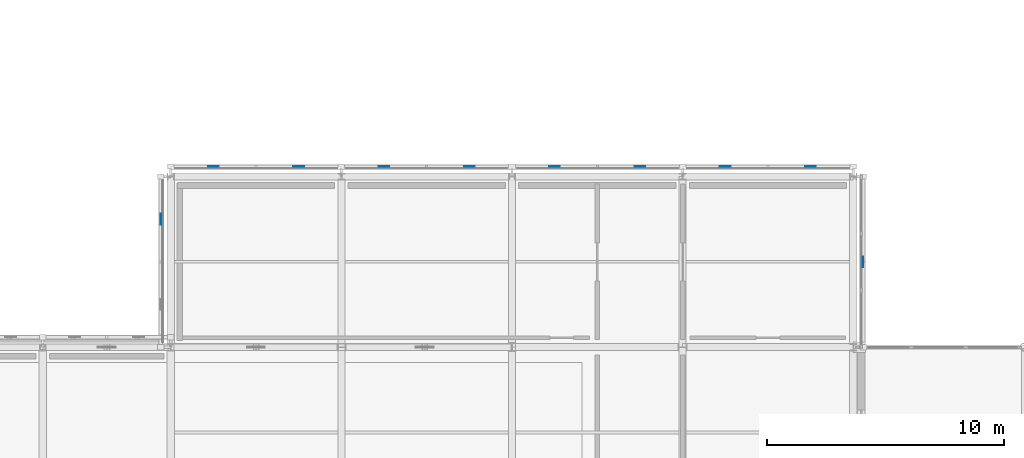
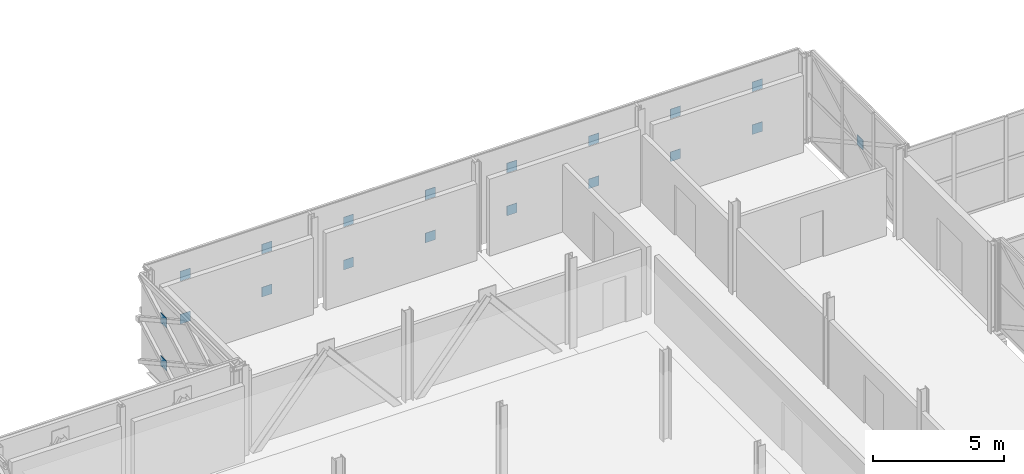
# One storey, part 80 of 103: 19 plates.
"""IFC4 building model written with IfcOpenShell, lengths in metres."""

from ifc_helpers import new_model, si_unit, direction, frame, origin, origin_2d, place, context, subcontext, project, spatial, rectangle, extrude, material, layer, layer_set, type_object, element, save


model = new_model("IFC4")

# Units and contexts
model_context = context("Model", 3, precision=1e-05, world=origin(), true_north=direction((0.0, 1.0)))
body_context = subcontext(model_context, "Body", "Model", "MODEL_VIEW")
ifc_project = project(units=[si_unit("LENGTHUNIT", "METRE"), si_unit("AREAUNIT", "SQUARE_METRE"), si_unit("VOLUMEUNIT", "CUBIC_METRE"), si_unit("PLANEANGLEUNIT", "RADIAN"), si_unit("MASSUNIT", "GRAM", prefix="KILO")], contexts=[model_context])

# Site, building, storey
site_placement = place(None, origin())
site = spatial("IfcSite", under=ifc_project, at=site_placement, CompositionType="ELEMENT")
building_placement = place(site_placement, origin())
building = spatial("IfcBuilding", under=site, at=building_placement, Name="Zlatovets Crest Museum", CompositionType="ELEMENT")
storey_placement = place(building_placement, frame((0.0, 0.0, 12.89990234375)))
storey = spatial("IfcBuildingStorey", under=building, at=storey_placement, Name="L03", CompositionType="ELEMENT", Elevation=12.89990234375)

# Plates
ifc_material = material(Name="Structural steel S355J2", Category="steel")
ifc_layer = layer(ifc_material, 0.02001953125)
ifc_layer_set = layer_set([ifc_layer], Name="Structural steel S355J2")
plate_type = type_object("IfcPlateType", Name="Gusset_GP-04", PredefinedType="USERDEFINED", material=ifc_layer_set)
plate_placement = place(storey_placement, frame((36.419921875, 97.199951171875, 1.875), z_axis=(0.0, 0.0, 1.0), x_axis=(1.0, 0.0, 0.0)))
element("IfcPlate", 1, at=plate_placement, inside=storey, type_object=plate_type, Name="X-Brace Crossing Node Gusset Plate GP-04", ObjectType="GUSSET", PredefinedType="USERDEFINED", context=body_context, shape_type="SweptSolid", body=[
    extrude(rectangle(XDim=0.02001953125, YDim=0.449951171875, at=origin_2d()), origin(), (0.0, 0.0, 1.0), 0.449951171875),
])
for number, where, z_axis, x_axis, name in (
    (2, (12.60009765625, 101.219970703125, 0.875), (0.0, 0.0, 1.0), (1.0, 0.0, 0.0), "X-Brace Crossing Node Gusset Plate GP-04"),
    (3, (9.0, 101.219970703125, 0.875), (0.0, 0.0, 1.0), (1.0, 0.0, 0.0), "X-Brace Crossing Node Gusset Plate GP-04"),
    (4, (12.60009765625, 101.219970703125, 2.875), (0.0, 0.0, 1.0), (1.0, 0.0, 0.0), "X-Brace Crossing Node Gusset Plate GP-04"),
    (5, (9.0, 101.219970703125, 2.875), (0.0, 0.0, 1.0), (1.0, 0.0, 0.0), "X-Brace Crossing Node Gusset Plate GP-04"),
    (6, (19.800048828125, 101.219970703125, 0.875), (0.0, 0.0, 1.0), (1.0, 0.0, 0.0), "X-Brace Crossing Node Gusset Plate GP-04"),
    (7, (16.199951171875, 101.219970703125, 0.875), (0.0, 0.0, 1.0), (1.0, 0.0, 0.0), "X-Brace Crossing Node Gusset Plate GP-04"),
    (8, (19.800048828125, 101.219970703125, 2.875), (0.0, 0.0, 1.0), (1.0, 0.0, 0.0), "X-Brace Crossing Node Gusset Plate GP-04"),
    (9, (16.199951171875, 101.219970703125, 2.875), (0.0, 0.0, 1.0), (1.0, 0.0, 0.0), "X-Brace Crossing Node Gusset Plate GP-04"),
    (10, (27.0, 101.219970703125, 0.875), (0.0, 0.0, 1.0), (1.0, 0.0, 0.0), "X-Brace Crossing Node Gusset Plate GP-04"),
    (11, (23.39990234375, 101.219970703125, 0.875), (0.0, 0.0, 1.0), (1.0, 0.0, 0.0), "X-Brace Crossing Node Gusset Plate GP-04"),
    (12, (27.0, 101.219970703125, 2.875), (0.0, 0.0, 1.0), (1.0, 0.0, 0.0), "X-Brace Crossing Node Gusset Plate GP-04"),
    (13, (23.39990234375, 101.219970703125, 2.875), (0.0, 0.0, 1.0), (1.0, 0.0, 0.0), "X-Brace Crossing Node Gusset Plate GP-04"),
    (14, (34.199951171875, 101.219970703125, 0.875), (0.0, 0.0, 1.0), (1.0, 0.0, 0.0), "X-Brace Crossing Node Gusset Plate GP-04"),
    (15, (30.60009765625, 101.219970703125, 0.875), (0.0, 0.0, 1.0), (1.0, 0.0, 0.0), "X-Brace Crossing Node Gusset Plate GP-04"),
    (16, (34.199951171875, 101.219970703125, 2.875), (0.0, 0.0, 1.0), (1.0, 0.0, 0.0), "X-Brace Crossing Node Gusset Plate GP-04"),
    (17, (30.60009765625, 101.219970703125, 2.875), (0.0, 0.0, 1.0), (1.0, 0.0, 0.0), "X-Brace Crossing Node Gusset Plate GP-04"),
):
    element("IfcPlate", number, at=place(storey_placement, frame(where, z_axis=z_axis, x_axis=x_axis)), inside=storey, type_object=plate_type, Name=name, ObjectType="GUSSET", PredefinedType="USERDEFINED", context=body_context, shape_type="SweptSolid", body=[
        extrude(rectangle(XDim=0.449951171875, YDim=0.02001953125, at=origin_2d()), origin(), (0.0, 0.0, 1.0), 0.449951171875),
    ])
for number, where, z_axis, x_axis, name in (
    (18, (6.780029296875, 99.0, 0.875), (0.0, 0.0, 1.0), (1.0, 0.0, 0.0), "X-Brace Crossing Node Gusset Plate GP-04"),
    (19, (6.780029296875, 99.0, 2.875), (0.0, 0.0, 1.0), (1.0, 0.0, 0.0), "X-Brace Crossing Node Gusset Plate GP-04"),
):
    element("IfcPlate", number, at=place(storey_placement, frame(where, z_axis=z_axis, x_axis=x_axis)), inside=storey, type_object=plate_type, Name=name, ObjectType="GUSSET", PredefinedType="USERDEFINED", context=body_context, shape_type="SweptSolid", body=[
        extrude(rectangle(XDim=0.02001953125, YDim=0.449951171875, at=origin_2d()), origin(), (0.0, 0.0, 1.0), 0.449951171875),
    ])

save(model, "model.ifc")
